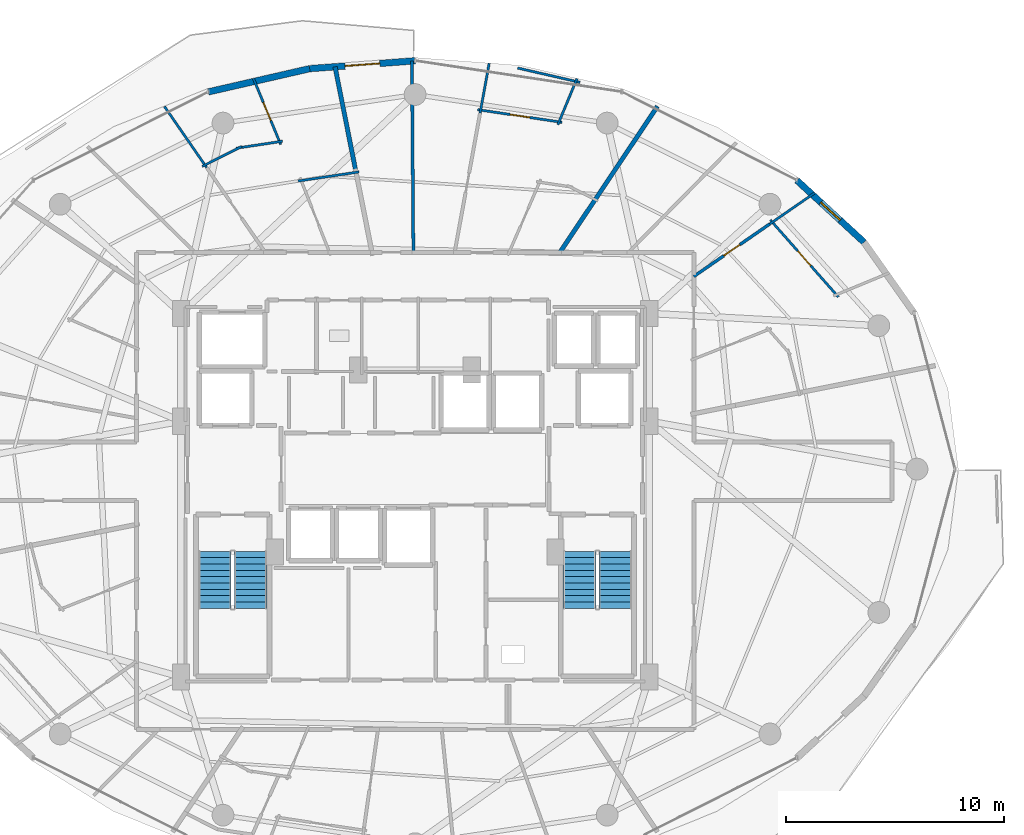
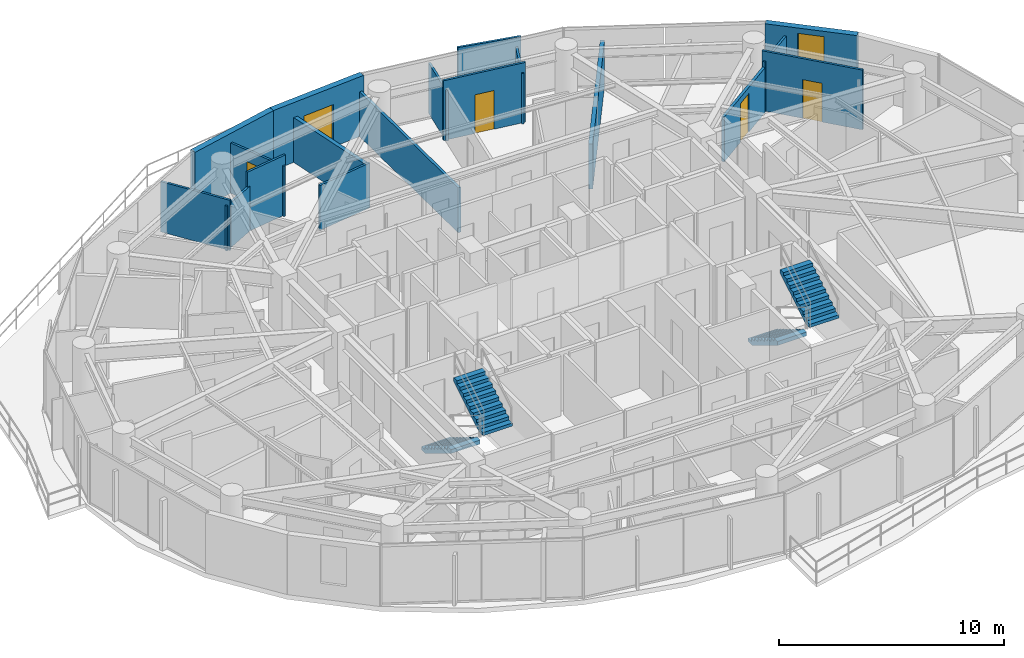
# One storey, part 26 of 30: 18 walls, 5 doors, 4 stair flights, 1 window, 6 openings, 2 elements without a shape of their own.
"""IFC4 building model written with IfcOpenShell, lengths in metres."""

from ifc_helpers import new_model, si_unit, direction, frame, frame_2d, origin, place, context, subcontext, project, spatial, polyline, rectangle, outline, extrude, material, layer, layer_set, type_object, element, fill, aggregate, save


model = new_model("IFC4")

# Units and contexts
model_context = context("Model", 3, precision=1e-05, world=origin(), true_north=direction((0.0, 1.0)))
body_context = subcontext(model_context, "Body", "Model", "MODEL_VIEW")
ifc_project = project(units=[si_unit("LENGTHUNIT", "METRE"), si_unit("AREAUNIT", "SQUARE_METRE"), si_unit("VOLUMEUNIT", "CUBIC_METRE"), si_unit("PLANEANGLEUNIT", "RADIAN"), si_unit("MASSUNIT", "GRAM", prefix="KILO")], contexts=[model_context])

# Site, building, storey
site_placement = place(None, origin())
site = spatial("IfcSite", under=ifc_project, at=site_placement, CompositionType="ELEMENT")
building_placement = place(site_placement, origin())
building = spatial("IfcBuilding", under=site, at=building_placement, Name="Vorneva Point Tower", CompositionType="ELEMENT")
storey_placement = place(building_placement, frame((0.0, 0.0, 157.10009765625)))
storey = spatial("IfcBuildingStorey", under=building, at=storey_placement, Name="L42", CompositionType="ELEMENT", Elevation=157.10009765625)

# Wall, opening, window
ifc_material_1 = material(Name="Precast concrete B50 (C40/50)", Category="concrete")
ifc_layer_1 = layer(ifc_material_1, 0.300048828125)
ifc_layer_set_1 = layer_set([ifc_layer_1], Name="Precast concrete B50 (C40/50)")
wall_type_1 = type_object("IfcWallType", Name="WL-EXT-300", PredefinedType="STANDARD", material=ifc_layer_set_1)
wall_1_placement = place(storey_placement, frame((58.620361328125, 36.4169921875, 0.0), z_axis=(0.0, 0.0, 1.0), x_axis=(-0.735477154165, 0.677549522693, 0.0)))
wall_1 = element("IfcWall", 1, at=wall_1_placement, inside=storey, type_object=wall_type_1, Name="L42 Pale-Metal Facade Spandrel Wall 02.2", PredefinedType="STANDARD", context=body_context, shape_type="SweptSolid", body=[
    extrude(rectangle(XDim=4.193603515625, YDim=0.300048828125, at=frame_2d((2.0966796875, 0.0))), origin(), (0.0, 0.0, 1.0), 3.239990234375),
])
opening_1_placement = place(wall_1_placement, frame((1.496826171875, 0.0, 0.85009765625)))
opening_1 = element("IfcOpeningElement", 2, at=opening_1_placement, cuts=wall_1, Name="Opening W-04", PredefinedType="OPENING", context=body_context, shape_type="SweptSolid", body=[
    extrude(rectangle(XDim=1.199951171875, YDim=2.10009765625, at=frame_2d((0.60009765625, 1.050048828125))), frame((0.0, 0.1650390625, 0.0), z_axis=(0.0, -1.0, 0.0), x_axis=(1.0, 0.0, 0.0)), (0.0, 0.0, 1.0), 0.329833984375),
])
ifc_material_2 = material(Name="Double low-e laminated glass IGU", Category="glass")
window_type = type_object("IfcWindowType", Name="WN-RES-1200", PartitioningType="SINGLE_PANEL", PredefinedType="WINDOW", material=ifc_material_2)
window_placement = place(opening_1_placement, origin())
window = element("IfcWindow", 3, at=window_placement, inside=storey, type_object=window_type, Name="L42 Facade Window 02", OverallHeight=2.10009765625, OverallWidth=1.199951171875, PartitioningType="SINGLE_PANEL", PredefinedType="WINDOW", context=body_context, shape_type="SweptSolid", body=[
    extrude(rectangle(XDim=1.199951171875, YDim=2.10009765625, at=frame_2d((0.60009765625, 1.050048828125))), frame((0.0, 0.030029296875, 0.0), z_axis=(0.0, -1.0, 0.0), x_axis=(1.0, 0.0, 0.0)), (0.0, 0.0, 1.0), 0.06005859375),
])
fill(opening_1, window)

# Wall, opening, door
wall_2_placement = place(storey_placement, frame((38.0, 44.75, 0.0), z_axis=(0.0, 0.0, 1.0), x_axis=(-0.997237740067, -0.074275768499, 0.0)))
wall_2 = element("IfcWall", 4, at=wall_2_placement, inside=storey, type_object=wall_type_1, Name="L42 Pale-Metal Facade Spandrel Wall 05.1", PredefinedType="STANDARD", context=body_context, shape_type="SweptSolid", body=[
    extrude(rectangle(XDim=4.8515625, YDim=0.300048828125, at=frame_2d((2.42578125, 0.0))), origin(), (0.0, 0.0, 1.0), 3.239990234375),
])
opening_2_placement = place(wall_2_placement, frame((1.625732421875, 0.0, 0.0)))
opening_2 = element("IfcOpeningElement", 5, at=opening_2_placement, cuts=wall_2, Name="Opening BD-01", PredefinedType="OPENING", context=body_context, shape_type="SweptSolid", body=[
    extrude(rectangle(XDim=1.60009765625, YDim=2.300048828125, at=frame_2d((0.800048828125, 1.14990234375))), frame((0.0, 0.1650390625, 0.0), z_axis=(0.0, -1.0, 0.0), x_axis=(1.0, 0.0, 0.0)), (0.0, 0.0, 1.0), 0.329833984375),
])
ifc_material_3 = material(Name="Pale anodised aluminium", Category="aluminium")
door_type_1 = type_object("IfcDoorType", Name="DR-BAL-1600", OperationType="SLIDING_TO_LEFT", PredefinedType="DOOR", material=ifc_material_3)
door_1_placement = place(opening_2_placement, origin())
door_1 = element("IfcDoor", 6, at=door_1_placement, inside=storey, type_object=door_type_1, Name="L42 Balcony Terrace Access Door 05", OperationType="SLIDING_TO_LEFT", OverallHeight=2.300048828125, OverallWidth=1.60009765625, PredefinedType="DOOR", context=body_context, shape_type="SweptSolid", body=[
    extrude(rectangle(XDim=1.60009765625, YDim=2.300048828125, at=frame_2d((0.800048828125, 1.14990234375))), frame((0.0, 0.02490234375, 0.0), z_axis=(0.0, -1.0, 0.0), x_axis=(1.0, 0.0, 0.0)), (0.0, 0.0, 1.0), 0.050048828125),
])
fill(opening_2, door_1)

# Wall
wall_3_placement = place(storey_placement, frame((33.161865234375, 44.3896484375, 0.0), z_axis=(0.0, 0.0, 1.0), x_axis=(-0.974698897188, -0.223521944832, 0.0)))
element("IfcWall", 7, at=wall_3_placement, inside=storey, type_object=wall_type_1, Name="L42 Pale-Metal Facade Spandrel Wall 05.2", PredefinedType="STANDARD", context=body_context, shape_type="SweptSolid", body=[
    extrude(rectangle(XDim=4.773193359375, YDim=0.300048828125, at=frame_2d((2.38671875, 0.0))), origin(), (0.0, 0.0, 1.0), 3.239990234375),
])

# Wall, opening, door
ifc_material_4 = material(Name="Fire-rated acoustic gypsum stud partition", Category="gypsum")
ifc_layer_2 = layer(ifc_material_4, 0.110107421875)
ifc_layer_set_2 = layer_set([ifc_layer_2], Name="Fire-rated acoustic gypsum stud partition")
wall_type_2 = type_object("IfcWallType", Name="WL-PART-110", PredefinedType="PARTITIONING", material=ifc_layer_set_2)
wall_4_placement = place(storey_placement, frame((57.440673828125, 33.902099609375, 0.0), z_axis=(0.0, 0.0, 1.0), x_axis=(-0.662122223318, 0.749395864272, 0.0)))
wall_4 = element("IfcWall", 8, at=wall_4_placement, inside=storey, type_object=wall_type_2, Name="L42 Interior Partition 076", PredefinedType="PARTITIONING", context=body_context, shape_type="SweptSolid", body=[
    extrude(rectangle(XDim=4.724853515625, YDim=0.110107421875, at=frame_2d((2.3623046875, 0.0))), origin(), (0.0, 0.0, 1.0), 3.239990234375),
])
opening_3_placement = place(wall_4_placement, frame((1.912353515625, 0.0, 0.0)))
opening_3 = element("IfcOpeningElement", 9, at=opening_3_placement, cuts=wall_4, Name="Opening ID-01", PredefinedType="OPENING", context=body_context, shape_type="SweptSolid", body=[
    extrude(rectangle(XDim=0.89990234375, YDim=2.10009765625, at=frame_2d((0.449951171875, 1.050048828125))), frame((0.0, 0.06982421875, 0.0), z_axis=(0.0, -1.0, 0.0), x_axis=(1.0, 0.0, 0.0)), (0.0, 0.0, 1.0), 0.139892578125),
])
ifc_material_5 = material(Name="Engineered oak fire-rated door leaf", Category="wood")
door_type_2 = type_object("IfcDoorType", Name="DR-ROOM-900", OperationType="NOTDEFINED", PredefinedType="DOOR", material=ifc_material_5)
door_2_placement = place(opening_3_placement, origin())
door_2 = element("IfcDoor", 10, at=door_2_placement, inside=storey, type_object=door_type_2, Name="L42 Door Living and Dining Room L42-01 / Kitchen L42-01", OperationType="SINGLE_SWING_RIGHT", OverallHeight=2.10009765625, OverallWidth=0.89990234375, PredefinedType="DOOR", context=body_context, shape_type="SweptSolid", body=[
    extrude(rectangle(XDim=0.89990234375, YDim=2.10009765625, at=frame_2d((0.449951171875, 1.050048828125))), frame((0.0, 0.02490234375, 0.0), z_axis=(0.0, -1.0, 0.0), x_axis=(1.0, 0.0, 0.0)), (0.0, 0.0, 1.0), 0.050048828125),
])
fill(opening_3, door_2)

# Walls
wall_5_placement = place(storey_placement, frame((54.289794921875, 37.25830078125, 0.0), z_axis=(0.0, 0.0, 1.0), x_axis=(0.822632807799, 0.568573006335, 0.0)))
element("IfcWall", 11, at=wall_5_placement, inside=storey, type_object=wall_type_2, Name="L42 Interior Partition 077", PredefinedType="PARTITIONING", context=body_context, shape_type="SweptSolid", body=[
    extrude(rectangle(XDim=2.511962890625, YDim=0.110107421875, at=frame_2d((1.255859375, 0.0))), origin(), (0.0, 0.0, 1.0), 2.727783203125),
])
wall_6_placement = place(storey_placement, frame((45.435546875, 43.934326171875, 0.0), z_axis=(0.0, 0.0, 1.0), x_axis=(-0.383057133185, -0.923724652002, 0.0)))
element("IfcWall", 12, at=wall_6_placement, inside=storey, type_object=wall_type_2, Name="L42 Interior Partition 087", PredefinedType="PARTITIONING", context=body_context, shape_type="SweptSolid", body=[
    extrude(rectangle(XDim=2.29248046875, YDim=0.110107421875, at=frame_2d((1.146240234375, 0.0))), origin(), (0.0, 0.0, 1.0), 2.727783203125),
])

# Wall, opening, door
wall_7_placement = place(storey_placement, frame((44.74951171875, 41.92529296875, 0.0), z_axis=(0.0, 0.0, 1.0), x_axis=(-0.988899781081, 0.148584060306, 0.0)))
wall_7 = element("IfcWall", 13, at=wall_7_placement, inside=storey, type_object=wall_type_2, Name="L42 Interior Partition 088", PredefinedType="PARTITIONING", context=body_context, shape_type="SweptSolid", body=[
    extrude(rectangle(XDim=3.92041015625, YDim=0.110107421875, at=frame_2d((1.960205078125, 0.0))), origin(), (0.0, 0.0, 1.0), 3.239990234375),
])
opening_4_placement = place(wall_7_placement, frame((1.51025390625, 0.0, 0.0)))
opening_4 = element("IfcOpeningElement", 14, at=opening_4_placement, cuts=wall_7, Name="Opening ID-01", PredefinedType="OPENING", context=body_context, shape_type="SweptSolid", body=[
    extrude(rectangle(XDim=0.89990234375, YDim=2.10009765625, at=frame_2d((0.449951171875, 1.050048828125))), frame((0.0, 0.06982421875, 0.0), z_axis=(0.0, -1.0, 0.0), x_axis=(1.0, 0.0, 0.0)), (0.0, 0.0, 1.0), 0.139892578125),
])
door_3_placement = place(opening_4_placement, origin())
door_3 = element("IfcDoor", 15, at=door_3_placement, inside=storey, type_object=door_type_2, Name="L42 Door Living and Dining Room L42-02 / Kitchen L42-02", OperationType="SINGLE_SWING_LEFT", OverallHeight=2.10009765625, OverallWidth=0.89990234375, PredefinedType="DOOR", context=body_context, shape_type="SweptSolid", body=[
    extrude(rectangle(XDim=0.89990234375, YDim=2.10009765625, at=frame_2d((0.449951171875, 1.050048828125))), frame((0.0, 0.02490234375, 0.0), z_axis=(0.0, -1.0, 0.0), x_axis=(1.0, 0.0, 0.0)), (0.0, 0.0, 1.0), 0.050048828125),
])
fill(opening_4, door_3)

# Walls
wall_8_placement = place(storey_placement, frame((40.98583984375, 42.349365234375, 0.0), z_axis=(0.0, 0.0, 1.0), x_axis=(0.179523238587, 0.983753732805, 0.0)))
element("IfcWall", 16, at=wall_8_placement, inside=storey, type_object=wall_type_2, Name="L42 Interior Partition 089", PredefinedType="PARTITIONING", context=body_context, shape_type="SweptSolid", body=[
    extrude(rectangle(XDim=2.32421875, YDim=0.110107421875, at=frame_2d((1.162109375, 0.0))), origin(), (0.0, 0.0, 1.0), 2.727783203125),
])
wall_9_placement = place(storey_placement, frame((45.576416015625, 43.7607421875, 0.0), z_axis=(0.0, 0.0, 1.0), x_axis=(-0.974642290338, 0.223768643657, 0.0)))
element("IfcWall", 17, at=wall_9_placement, inside=storey, type_object=wall_type_2, Name="L42 Interior Partition 090", PredefinedType="PARTITIONING", context=body_context, shape_type="SweptSolid", body=[
    extrude(rectangle(XDim=2.942626953125, YDim=0.110107421875, at=frame_2d((1.47119140625, 0.0))), origin(), (0.0, 0.0, 1.0), 3.239990234375),
])
wall_10_placement = place(storey_placement, frame((32.630615234375, 39.228271484375, 0.0), z_axis=(0.0, 0.0, 1.0), x_axis=(0.988890718673, 0.148644362566, 0.0)))
element("IfcWall", 18, at=wall_10_placement, inside=storey, type_object=wall_type_2, Name="L42 Interior Partition 096", PredefinedType="PARTITIONING", context=body_context, shape_type="SweptSolid", body=[
    extrude(rectangle(XDim=2.828369140625, YDim=0.110107421875, at=frame_2d((1.4140625, 0.0))), origin(), (0.0, 0.0, 1.0), 2.431884765625),
])

# Wall, opening, door
wall_11_placement = place(storey_placement, frame((30.576416015625, 43.9375, 0.0), z_axis=(0.0, 0.0, 1.0), x_axis=(0.382336453712, -0.924023179451, 0.0)))
wall_11 = element("IfcWall", 19, at=wall_11_placement, inside=storey, type_object=wall_type_2, Name="L42 Interior Partition 097", PredefinedType="PARTITIONING", context=body_context, shape_type="SweptSolid", body=[
    extrude(rectangle(XDim=3.2802734375, YDim=0.110107421875, at=frame_2d((1.64013671875, 0.0))), origin(), (0.0, 0.0, 1.0), 2.727783203125),
])
opening_5_placement = place(wall_11_placement, frame((1.18994140625, 0.0, 0.0)))
opening_5 = element("IfcOpeningElement", 20, at=opening_5_placement, cuts=wall_11, Name="Opening ID-01", PredefinedType="OPENING", context=body_context, shape_type="SweptSolid", body=[
    extrude(rectangle(XDim=0.89990234375, YDim=2.10009765625, at=frame_2d((0.449951171875, 1.050048828125))), frame((0.0, 0.06982421875, 0.0), z_axis=(0.0, -1.0, 0.0), x_axis=(1.0, 0.0, 0.0)), (0.0, 0.0, 1.0), 0.139892578125),
])
door_4_placement = place(opening_5_placement, origin())
door_4 = element("IfcDoor", 21, at=door_4_placement, inside=storey, type_object=door_type_2, Name="L42 Door Living and Dining Room L42-03 / Kitchen L42-03", OperationType="SINGLE_SWING_LEFT", OverallHeight=2.10009765625, OverallWidth=0.89990234375, PredefinedType="DOOR", context=body_context, shape_type="SweptSolid", body=[
    extrude(rectangle(XDim=0.89990234375, YDim=2.10009765625, at=frame_2d((0.449951171875, 1.050048828125))), frame((0.0, 0.02490234375, 0.0), z_axis=(0.0, -1.0, 0.0), x_axis=(1.0, 0.0, 0.0)), (0.0, 0.0, 1.0), 0.050048828125),
])
fill(opening_5, door_4)

# Walls
wall_12_placement = place(storey_placement, frame((31.915283203125, 41.056884765625, 0.0), z_axis=(0.0, 0.0, 1.0), x_axis=(-0.98883996758, -0.148981604626, 0.0)))
element("IfcWall", 22, at=wall_12_placement, inside=storey, type_object=wall_type_2, Name="L42 Interior Partition 098", PredefinedType="PARTITIONING", context=body_context, shape_type="SweptSolid", body=[
    extrude(rectangle(XDim=2.159912109375, YDim=0.110107421875, at=frame_2d((1.080078125, 0.0))), origin(), (0.0, 0.0, 1.0), 3.239990234375),
])
wall_13_placement = place(storey_placement, frame((30.04296875, 40.819091796875, 0.0), z_axis=(0.0, 0.0, 1.0), x_axis=(-0.892695055898, -0.450661222179, 0.0)))
element("IfcWall", 23, at=wall_13_placement, inside=storey, type_object=wall_type_2, Name="L42 Interior Partition 099", PredefinedType="PARTITIONING", context=body_context, shape_type="SweptSolid", body=[
    extrude(rectangle(XDim=2.03759765625, YDim=0.110107421875, at=frame_2d((1.018798828125, 0.0))), origin(), (0.0, 0.0, 1.0), 2.431884765625),
])
wall_14_placement = place(storey_placement, frame((28.4287109375, 39.848876953125, 0.0), z_axis=(0.0, 0.0, 1.0), x_axis=(-0.568554374161, 0.822645685349, 0.0)))
element("IfcWall", 24, at=wall_14_placement, inside=storey, type_object=wall_type_2, Name="L42 Interior Partition 100", PredefinedType="PARTITIONING", context=body_context, shape_type="SweptSolid", body=[
    extrude(rectangle(XDim=3.408935546875, YDim=0.110107421875, at=frame_2d((1.70458984375, 0.0))), origin(), (0.0, 0.0, 1.0), 2.727783203125),
])

# Wall, opening, door
ifc_layer_3 = layer(ifc_material_4, 0.139892578125)
ifc_layer_set_3 = layer_set([ifc_layer_3], Name="Fire-rated acoustic gypsum stud partition")
wall_type_3 = type_object("IfcWallType", Name="WL-PART-140", PredefinedType="PARTITIONING", material=ifc_layer_set_3)
wall_15_placement = place(storey_placement, frame((54.289794921875, 37.258544921875, 0.0), z_axis=(0.0, 0.0, 1.0), x_axis=(-0.822672586971, -0.568515448027, 0.0)))
wall_15 = element("IfcWall", 25, at=wall_15_placement, inside=storey, type_object=wall_type_3, Name="L42 Interior Partition 078", PredefinedType="PARTITIONING", context=body_context, shape_type="SweptSolid", body=[
    extrude(rectangle(XDim=4.241943359375, YDim=0.139892578125, at=frame_2d((2.12109375, 0.0))), origin(), (0.0, 0.0, 1.0), 2.431884765625),
])
opening_6_placement = place(wall_15_placement, frame((1.6708984375, 0.0, 0.0)))
opening_6 = element("IfcOpeningElement", 26, at=opening_6_placement, cuts=wall_15, Name="Opening ID-01", PredefinedType="OPENING", context=body_context, shape_type="SweptSolid", body=[
    extrude(rectangle(XDim=0.89990234375, YDim=2.10009765625, at=frame_2d((0.449951171875, 1.050048828125))), frame((0.0, 0.0849609375, 0.0), z_axis=(0.0, -1.0, 0.0), x_axis=(1.0, 0.0, 0.0)), (0.0, 0.0, 1.0), 0.169677734375),
])
door_5_placement = place(opening_6_placement, origin())
door_5 = element("IfcDoor", 27, at=door_5_placement, inside=storey, type_object=door_type_2, Name="L42 Door Living and Dining Room L42-01 / Master Bedroom L42-01.1", OperationType="SINGLE_SWING_LEFT", OverallHeight=2.10009765625, OverallWidth=0.89990234375, PredefinedType="DOOR", context=body_context, shape_type="SweptSolid", body=[
    extrude(rectangle(XDim=0.89990234375, YDim=2.10009765625, at=frame_2d((0.449951171875, 1.050048828125))), frame((0.0, 0.02490234375, 0.0), z_axis=(0.0, -1.0, 0.0), x_axis=(1.0, 0.0, 0.0)), (0.0, 0.0, 1.0), 0.050048828125),
])
fill(opening_6, door_5)

# Walls
wall_16_placement = place(storey_placement, frame((37.85302734375, 44.739013671875, 0.0), z_axis=(0.0, 0.0, 1.0), x_axis=(0.007860868226, -0.999969102898, 0.0)))
element("IfcWall", 28, at=wall_16_placement, inside=storey, type_object=wall_type_3, Name="L42 Interior Partition 092", PredefinedType="PARTITIONING", context=body_context, shape_type="SweptSolid", body=[
    extrude(rectangle(XDim=8.789306640625, YDim=0.139892578125, at=frame_2d((4.39453125, 0.0))), origin(), (0.0, 0.0, 1.0), 2.431884765625),
])
ifc_material_6 = material(Name="Autoclaved aerated concrete blockwork", Category="masonry")
ifc_layer_4 = layer(ifc_material_6, 0.199951171875)
ifc_layer_set_4 = layer_set([ifc_layer_4], Name="Autoclaved aerated concrete blockwork")
wall_type_4 = type_object("IfcWallType", Name="WL-PART-200", PredefinedType="PARTITIONING", material=ifc_layer_set_4)
wall_17_placement = place(storey_placement, frame((49.131103515625, 42.658935546875, 0.0), z_axis=(0.0, 0.0, 1.0), x_axis=(-0.555600584712, -0.831449331149, 0.0)))
element("IfcWall", 29, at=wall_17_placement, inside=storey, type_object=wall_type_4, Name="L42 Interior Partition 083", PredefinedType="PARTITIONING", context=body_context, shape_type="SweptSolid", body=[
    extrude(rectangle(XDim=8.069091796875, YDim=0.199951171875, at=frame_2d((4.03466796875, 0.0))), origin(), (0.0, 0.0, 1.0), 2.431884765625),
])
wall_18_placement = place(storey_placement, frame((34.324951171875, 44.47509765625, 0.0), z_axis=(0.0, 0.0, 1.0), x_axis=(0.195054941626, -0.980792317337, 0.0)))
element("IfcWall", 30, at=wall_18_placement, inside=storey, type_object=wall_type_4, Name="L42 Interior Partition 093", PredefinedType="PARTITIONING", context=body_context, shape_type="SweptSolid", body=[
    extrude(rectangle(XDim=4.911376953125, YDim=0.199951171875, at=frame_2d((2.45556640625, 0.0))), origin(), (0.0, 0.0, 1.0), 2.431884765625),
])

# Stair, stair flights
ifc_material_7 = material(Name="Concrete B50 (C40/50)", Category="concrete")
stair_type = type_object("IfcStairType", Name="ST-DOG-1500", PredefinedType="HALF_TURN_STAIR", material=ifc_material_7)
stair_1_placement = place(storey_placement, origin())
stair_1 = element("IfcStair", 31, at=stair_1_placement, inside=storey, type_object=stair_type, Name="L42 ST1", PredefinedType="HALF_TURN_STAIR")
stair_flight_type = type_object("IfcStairFlightType", Name="STF-1500", PredefinedType="STRAIGHT", material=ifc_material_7)
stair_flight_1_placement = place(storey_placement, frame((28.800048828125, 22.219970703125, 0.0), z_axis=(0.0, 0.0, 1.0), x_axis=(0.0, -1.0, 0.0)))
stair_flight_1 = element("IfcStairFlight", 32, at=stair_flight_1_placement, type_object=stair_flight_type, Name="ST1 flight 1", NumberOfRisers=10, NumberOfTreads=9, PredefinedType="STRAIGHT", RiserHeight=0.175, TreadLength=0.29, context=body_context, shape_type="SweptSolid", body=[
    extrude(outline(polyline([(0.0, 0.0), (0.0, 0.175048828125), (0.2900390625, 0.175048828125), (0.2900390625, 0.35009765625), (0.580078125, 0.35009765625), (0.580078125, 0.52490234375), (0.8701171875, 0.52490234375), (0.8701171875, 0.699951171875), (1.159912109375, 0.699951171875), (1.159912109375, 0.875), (1.449951171875, 0.875), (1.449951171875, 1.050048828125), (1.739990234375, 1.050048828125), (1.739990234375, 1.22509765625), (2.030029296875, 1.22509765625), (2.030029296875, 1.39990234375), (2.320068359375, 1.39990234375), (2.320068359375, 1.574951171875), (2.610107421875, 1.574951171875), (2.610107421875, 1.75), (2.610107421875, 1.36474609375), (0.34814453125, 0.0), (0.0, 0.0)])), frame((0.0, 0.75, 0.0), z_axis=(0.0, -1.0, 0.0), x_axis=(1.0, 0.0, 0.0)), (0.0, 0.0, 1.0), 1.5),
])
stair_flight_2_placement = place(storey_placement, frame((30.449951171875, 19.610107421875, 1.75), z_axis=(0.0, 0.0, 1.0), x_axis=(0.0, 1.0, 0.0)))
stair_flight_2 = element("IfcStairFlight", 33, at=stair_flight_2_placement, type_object=stair_flight_type, Name="ST1 flight 2", NumberOfRisers=10, NumberOfTreads=9, PredefinedType="STRAIGHT", RiserHeight=0.175, TreadLength=0.29, context=body_context, shape_type="SweptSolid", body=[
    extrude(outline(polyline([(0.0, 0.0), (0.0, 0.175048828125), (0.2900390625, 0.175048828125), (0.2900390625, 0.35009765625), (0.580078125, 0.35009765625), (0.580078125, 0.52490234375), (0.8701171875, 0.52490234375), (0.8701171875, 0.699951171875), (1.159912109375, 0.699951171875), (1.159912109375, 0.875), (1.449951171875, 0.875), (1.449951171875, 1.050048828125), (1.739990234375, 1.050048828125), (1.739990234375, 1.22509765625), (2.030029296875, 1.22509765625), (2.030029296875, 1.39990234375), (2.320068359375, 1.39990234375), (2.320068359375, 1.574951171875), (2.610107421875, 1.574951171875), (2.610107421875, 1.75), (2.610107421875, 1.36474609375), (0.34814453125, 0.0), (0.0, 0.0)])), frame((0.0, 0.75, 0.0), z_axis=(0.0, -1.0, 0.0), x_axis=(1.0, 0.0, 0.0)), (0.0, 0.0, 1.0), 1.5),
])
aggregate(stair_1, [stair_flight_1, stair_flight_2])

stair_2_placement = place(storey_placement, origin())
stair_2 = element("IfcStair", 34, at=stair_2_placement, inside=storey, type_object=stair_type, Name="L42 ST2", PredefinedType="HALF_TURN_STAIR")
stair_flight_3_placement = place(storey_placement, frame((45.550048828125, 22.219970703125, 0.0), z_axis=(0.0, 0.0, 1.0), x_axis=(0.0, -1.0, 0.0)))
stair_flight_3 = element("IfcStairFlight", 35, at=stair_flight_3_placement, type_object=stair_flight_type, Name="ST2 flight 1", NumberOfRisers=10, NumberOfTreads=9, PredefinedType="STRAIGHT", RiserHeight=0.175, TreadLength=0.29, context=body_context, shape_type="SweptSolid", body=[
    extrude(outline(polyline([(0.0, 0.0), (0.0, 0.175048828125), (0.2900390625, 0.175048828125), (0.2900390625, 0.35009765625), (0.580078125, 0.35009765625), (0.580078125, 0.52490234375), (0.8701171875, 0.52490234375), (0.8701171875, 0.699951171875), (1.159912109375, 0.699951171875), (1.159912109375, 0.875), (1.449951171875, 0.875), (1.449951171875, 1.050048828125), (1.739990234375, 1.050048828125), (1.739990234375, 1.22509765625), (2.030029296875, 1.22509765625), (2.030029296875, 1.39990234375), (2.320068359375, 1.39990234375), (2.320068359375, 1.574951171875), (2.610107421875, 1.574951171875), (2.610107421875, 1.75), (2.610107421875, 1.36474609375), (0.34814453125, 0.0), (0.0, 0.0)])), frame((0.0, 0.75, 0.0), z_axis=(0.0, -1.0, 0.0), x_axis=(1.0, 0.0, 0.0)), (0.0, 0.0, 1.0), 1.5),
])
stair_flight_4_placement = place(storey_placement, frame((47.199951171875, 19.610107421875, 1.75), z_axis=(0.0, 0.0, 1.0), x_axis=(0.0, 1.0, 0.0)))
stair_flight_4 = element("IfcStairFlight", 36, at=stair_flight_4_placement, type_object=stair_flight_type, Name="ST2 flight 2", NumberOfRisers=10, NumberOfTreads=9, PredefinedType="STRAIGHT", RiserHeight=0.175, TreadLength=0.29, context=body_context, shape_type="SweptSolid", body=[
    extrude(outline(polyline([(0.0, 0.0), (0.0, 0.175048828125), (0.2900390625, 0.175048828125), (0.2900390625, 0.35009765625), (0.580078125, 0.35009765625), (0.580078125, 0.52490234375), (0.8701171875, 0.52490234375), (0.8701171875, 0.699951171875), (1.159912109375, 0.699951171875), (1.159912109375, 0.875), (1.449951171875, 0.875), (1.449951171875, 1.050048828125), (1.739990234375, 1.050048828125), (1.739990234375, 1.22509765625), (2.030029296875, 1.22509765625), (2.030029296875, 1.39990234375), (2.320068359375, 1.39990234375), (2.320068359375, 1.574951171875), (2.610107421875, 1.574951171875), (2.610107421875, 1.75), (2.610107421875, 1.36474609375), (0.34814453125, 0.0), (0.0, 0.0)])), frame((0.0, 0.75, 0.0), z_axis=(0.0, -1.0, 0.0), x_axis=(1.0, 0.0, 0.0)), (0.0, 0.0, 1.0), 1.5),
])
aggregate(stair_2, [stair_flight_3, stair_flight_4])

save(model, "model.ifc")
